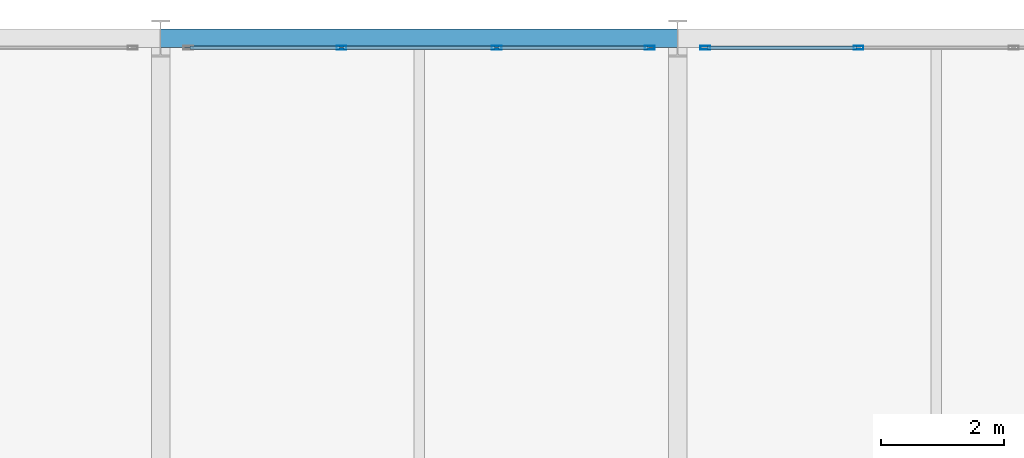
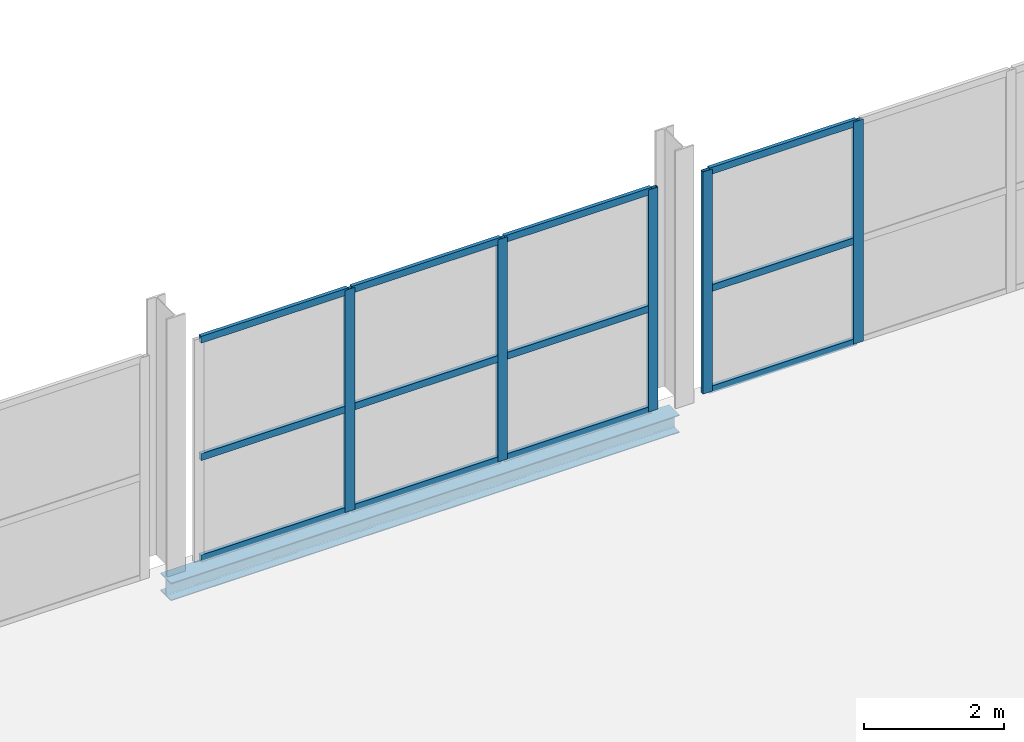
# One storey, part 60 of 109: 17 members, 1 beam, 2 elements without a shape of their own.
"""IFC4 building model written with IfcOpenShell, lengths in metres."""

from ifc_helpers import new_model, si_unit, direction, frame, origin, origin_2d, place, context, subcontext, project, spatial, hollow_rectangle, i_section, extrude, material, material_profile, profile_set, type_object, element, aggregate, save


model = new_model("IFC4")

# Units and contexts
model_context = context("Model", 3, precision=1e-05, world=origin(), true_north=direction((0.0, 1.0)))
body_context = subcontext(model_context, "Body", "Model", "MODEL_VIEW")
ifc_project = project(units=[si_unit("LENGTHUNIT", "METRE"), si_unit("AREAUNIT", "SQUARE_METRE"), si_unit("VOLUMEUNIT", "CUBIC_METRE"), si_unit("PLANEANGLEUNIT", "RADIAN"), si_unit("MASSUNIT", "GRAM", prefix="KILO")], contexts=[model_context])

# Site, building, storey
site_placement = place(None, origin())
site = spatial("IfcSite", under=ifc_project, at=site_placement, CompositionType="ELEMENT")
building_placement = place(site_placement, origin())
building = spatial("IfcBuilding", under=site, at=building_placement, Name="Veltarok Museum of Natural Sciences", CompositionType="ELEMENT")
storey_placement = place(building_placement, frame((0.0, 0.0, 17.39990234375)))
storey = spatial("IfcBuildingStorey", under=building, at=storey_placement, Name="L03", CompositionType="ELEMENT", Elevation=17.39990234375)

# Curtain wall, members
ifc_material_1 = material(Name="Low-iron triple insulated glass", Category="glass")
curtain_wall_type_1 = type_object("IfcCurtainWallType", Name="Curtain Wall System CW-V2N-L03-10-756x388 (V2 North Hall L03 10-11 756x388cm)", PredefinedType="NOTDEFINED", material=ifc_material_1)
curtain_wall_1_placement = place(storey_placement, origin())
curtain_wall_1 = element("IfcCurtainWall", 1, at=curtain_wall_1_placement, inside=storey, type_object=curtain_wall_type_1, Name="Curtain Wall CW-V2N-L03-10-756x388 CW-0059", PredefinedType="NOTDEFINED")
ifc_material_2 = material(Name="Thermally broken anodised aluminium", Category="aluminium")
ifc_material_profile_1 = material_profile(ifc_material_2, hollow_rectangle(XDim=0.06005859375, YDim=0.1201171875, WallThickness=0.0048828125, at=origin_2d()), Name="CW TRANSOM 60x120x5")
ifc_profile_set_1 = profile_set([ifc_material_profile_1], Name="Thermally broken anodised aluminium")
member_type_1 = type_object("IfcMemberType", Name="Curtain Wall Horizontal Transom 60x120x5", PredefinedType="USERDEFINED", material=ifc_profile_set_1)
member_1_placement = place(storey_placement, frame((89.919921875, 71.85009765625, 0.030029296875), z_axis=(-1.0, 0.0, 0.0), x_axis=(0.0, -1.0, 0.0)))
member_1 = element("IfcMember", 2, at=member_1_placement, type_object=member_type_1, Name="CW-V2N-L03-10-756x388 transom 1.1", ObjectType="TRANSOM", PredefinedType="USERDEFINED", context=body_context, shape_type="SweptSolid", body=[
    extrude(hollow_rectangle(XDim=0.06005859375, YDim=0.1201171875, WallThickness=0.0048828125, at=origin_2d()), origin(), (0.0, 0.0, 1.0), 2.429931640625),
])
member_2_placement = place(storey_placement, frame((89.919921875, 71.85009765625, 1.800048828125), z_axis=(-1.0, 0.0, 0.0), x_axis=(0.0, -1.0, 0.0)))
member_2 = element("IfcMember", 3, at=member_2_placement, type_object=member_type_1, Name="CW-V2N-L03-10-756x388 transom 1.2", ObjectType="TRANSOM", PredefinedType="USERDEFINED", context=body_context, shape_type="SweptSolid", body=[
    extrude(hollow_rectangle(XDim=0.06005859375, YDim=0.1201171875, WallThickness=0.0048828125, at=origin_2d()), origin(), (0.0, 0.0, 1.0), 2.429931640625),
])
member_3_placement = place(storey_placement, frame((89.919921875, 71.85009765625, 3.85009765625), z_axis=(-1.0, 0.0, 0.0), x_axis=(0.0, -1.0, 0.0)))
member_3 = element("IfcMember", 4, at=member_3_placement, type_object=member_type_1, Name="CW-V2N-L03-10-756x388 transom 1.3", ObjectType="TRANSOM", PredefinedType="USERDEFINED", context=body_context, shape_type="SweptSolid", body=[
    extrude(hollow_rectangle(XDim=0.06005859375, YDim=0.1201171875, WallThickness=0.0048828125, at=origin_2d()), origin(), (0.0, 0.0, 1.0), 2.429931640625),
])
member_4_placement = place(storey_placement, frame((87.429931640625, 71.85009765625, 0.030029296875), z_axis=(-1.0, 0.0, 0.0), x_axis=(0.0, -1.0, 0.0)))
member_4 = element("IfcMember", 5, at=member_4_placement, type_object=member_type_1, Name="CW-V2N-L03-10-756x388 transom 2.1", ObjectType="TRANSOM", PredefinedType="USERDEFINED", context=body_context, shape_type="SweptSolid", body=[
    extrude(hollow_rectangle(XDim=0.06005859375, YDim=0.1201171875, WallThickness=0.0048828125, at=origin_2d()), origin(), (0.0, 0.0, 1.0), 2.4599609375),
])
member_5_placement = place(storey_placement, frame((87.429931640625, 71.85009765625, 1.800048828125), z_axis=(-1.0, 0.0, 0.0), x_axis=(0.0, -1.0, 0.0)))
member_5 = element("IfcMember", 6, at=member_5_placement, type_object=member_type_1, Name="CW-V2N-L03-10-756x388 transom 2.2", ObjectType="TRANSOM", PredefinedType="USERDEFINED", context=body_context, shape_type="SweptSolid", body=[
    extrude(hollow_rectangle(XDim=0.06005859375, YDim=0.1201171875, WallThickness=0.0048828125, at=origin_2d()), origin(), (0.0, 0.0, 1.0), 2.4599609375),
])
member_6_placement = place(storey_placement, frame((87.429931640625, 71.85009765625, 3.85009765625), z_axis=(-1.0, 0.0, 0.0), x_axis=(0.0, -1.0, 0.0)))
member_6 = element("IfcMember", 7, at=member_6_placement, type_object=member_type_1, Name="CW-V2N-L03-10-756x388 transom 2.3", ObjectType="TRANSOM", PredefinedType="USERDEFINED", context=body_context, shape_type="SweptSolid", body=[
    extrude(hollow_rectangle(XDim=0.06005859375, YDim=0.1201171875, WallThickness=0.0048828125, at=origin_2d()), origin(), (0.0, 0.0, 1.0), 2.4599609375),
])
member_7_placement = place(storey_placement, frame((84.909912109375, 71.85009765625, 0.030029296875), z_axis=(-1.0, 0.0, 0.0), x_axis=(0.0, -1.0, 0.0)))
member_7 = element("IfcMember", 8, at=member_7_placement, type_object=member_type_1, Name="CW-V2N-L03-10-756x388 transom 3.1", ObjectType="TRANSOM", PredefinedType="USERDEFINED", context=body_context, shape_type="SweptSolid", body=[
    extrude(hollow_rectangle(XDim=0.06005859375, YDim=0.1201171875, WallThickness=0.0048828125, at=origin_2d()), origin(), (0.0, 0.0, 1.0), 2.429931640625),
])
member_8_placement = place(storey_placement, frame((84.909912109375, 71.85009765625, 1.800048828125), z_axis=(-1.0, 0.0, 0.0), x_axis=(0.0, -1.0, 0.0)))
member_8 = element("IfcMember", 9, at=member_8_placement, type_object=member_type_1, Name="CW-V2N-L03-10-756x388 transom 3.2", ObjectType="TRANSOM", PredefinedType="USERDEFINED", context=body_context, shape_type="SweptSolid", body=[
    extrude(hollow_rectangle(XDim=0.06005859375, YDim=0.1201171875, WallThickness=0.0048828125, at=origin_2d()), origin(), (0.0, 0.0, 1.0), 2.429931640625),
])
member_9_placement = place(storey_placement, frame((84.909912109375, 71.85009765625, 3.85009765625), z_axis=(-1.0, 0.0, 0.0), x_axis=(0.0, -1.0, 0.0)))
member_9 = element("IfcMember", 10, at=member_9_placement, type_object=member_type_1, Name="CW-V2N-L03-10-756x388 transom 3.3", ObjectType="TRANSOM", PredefinedType="USERDEFINED", context=body_context, shape_type="SweptSolid", body=[
    extrude(hollow_rectangle(XDim=0.06005859375, YDim=0.1201171875, WallThickness=0.0048828125, at=origin_2d()), origin(), (0.0, 0.0, 1.0), 2.429931640625),
])

curtain_wall_type_2 = type_object("IfcCurtainWallType", Name="Curtain Wall System CW-V2N-L03-11-756x388 (V2 North Hall L03 11-12 756x388cm)", PredefinedType="NOTDEFINED", material=ifc_material_1)
curtain_wall_2_placement = place(storey_placement, origin())
curtain_wall_2 = element("IfcCurtainWall", 11, at=curtain_wall_2_placement, inside=storey, type_object=curtain_wall_type_2, Name="Curtain Wall CW-V2N-L03-11-756x388 CW-0060", PredefinedType="NOTDEFINED")
member_10_placement = place(storey_placement, frame((93.31005859375, 71.85009765625, 0.030029296875), z_axis=(-1.0, 0.0, 0.0), x_axis=(0.0, -1.0, 0.0)))
member_10 = element("IfcMember", 12, at=member_10_placement, type_object=member_type_1, Name="CW-V2N-L03-11-756x388 transom 3.1", ObjectType="TRANSOM", PredefinedType="USERDEFINED", context=body_context, shape_type="SweptSolid", body=[
    extrude(hollow_rectangle(XDim=0.06005859375, YDim=0.1201171875, WallThickness=0.0048828125, at=origin_2d()), origin(), (0.0, 0.0, 1.0), 2.43017578125),
])
member_11_placement = place(storey_placement, frame((93.31005859375, 71.85009765625, 1.800048828125), z_axis=(-1.0, 0.0, 0.0), x_axis=(0.0, -1.0, 0.0)))
member_11 = element("IfcMember", 13, at=member_11_placement, type_object=member_type_1, Name="CW-V2N-L03-11-756x388 transom 3.2", ObjectType="TRANSOM", PredefinedType="USERDEFINED", context=body_context, shape_type="SweptSolid", body=[
    extrude(hollow_rectangle(XDim=0.06005859375, YDim=0.1201171875, WallThickness=0.0048828125, at=origin_2d()), origin(), (0.0, 0.0, 1.0), 2.43017578125),
])
member_12_placement = place(storey_placement, frame((93.31005859375, 71.85009765625, 3.85009765625), z_axis=(-1.0, 0.0, 0.0), x_axis=(0.0, -1.0, 0.0)))
member_12 = element("IfcMember", 14, at=member_12_placement, type_object=member_type_1, Name="CW-V2N-L03-11-756x388 transom 3.3", ObjectType="TRANSOM", PredefinedType="USERDEFINED", context=body_context, shape_type="SweptSolid", body=[
    extrude(hollow_rectangle(XDim=0.06005859375, YDim=0.1201171875, WallThickness=0.0048828125, at=origin_2d()), origin(), (0.0, 0.0, 1.0), 2.43017578125),
])

# Member
ifc_material_profile_2 = material_profile(ifc_material_2, hollow_rectangle(XDim=0.06005859375, YDim=0.159912109375, WallThickness=0.0048828125, at=origin_2d()), Name="CW MULLION 60x160x5")
ifc_profile_set_2 = profile_set([ifc_material_profile_2], Name="Thermally broken anodised aluminium")
member_type_2 = type_object("IfcMemberType", Name="Curtain Wall Vertical Mullion 60x160x5", PredefinedType="MULLION", material=ifc_profile_set_2)
member_13_placement = place(storey_placement, frame((89.949951171875, 71.85009765625, 0.0), z_axis=(0.0, 0.0, 1.0), x_axis=(0.0, -1.0, 0.0)))
member_13 = element("IfcMember", 15, at=member_13_placement, type_object=member_type_2, Name="CW-V2N-L03-10-756x388 mullion 1", PredefinedType="MULLION", context=body_context, shape_type="SweptSolid", body=[
    extrude(hollow_rectangle(XDim=0.06005859375, YDim=0.159912109375, WallThickness=0.0048828125, at=origin_2d()), origin(), (0.0, 0.0, 1.0), 3.880126953125),
])

member_14_placement = place(storey_placement, frame((87.4599609375, 71.85009765625, 0.0), z_axis=(0.0, 0.0, 1.0), x_axis=(0.0, -1.0, 0.0)))
member_14 = element("IfcMember", 16, at=member_14_placement, type_object=member_type_2, Name="CW-V2N-L03-10-756x388 mullion 2", PredefinedType="MULLION", context=body_context, shape_type="SweptSolid", body=[
    extrude(hollow_rectangle(XDim=0.06005859375, YDim=0.159912109375, WallThickness=0.0048828125, at=origin_2d()), origin(), (0.0, 0.0, 1.0), 3.880126953125),
])

member_15_placement = place(storey_placement, frame((84.93994140625, 71.85009765625, 0.0), z_axis=(0.0, 0.0, 1.0), x_axis=(0.0, -1.0, 0.0)))
member_15 = element("IfcMember", 17, at=member_15_placement, type_object=member_type_2, Name="CW-V2N-L03-10-756x388 mullion 3", PredefinedType="MULLION", context=body_context, shape_type="SweptSolid", body=[
    extrude(hollow_rectangle(XDim=0.06005859375, YDim=0.159912109375, WallThickness=0.0048828125, at=origin_2d()), origin(), (0.0, 0.0, 1.0), 3.880126953125),
])

aggregate(curtain_wall_1, [member_13, member_14, member_15, member_1, member_2, member_3, member_4, member_5, member_6, member_7, member_8, member_9])

member_16_placement = place(storey_placement, frame((93.340087890625, 71.85009765625, 0.0), z_axis=(0.0, 0.0, 1.0), x_axis=(0.0, -1.0, 0.0)))
member_16 = element("IfcMember", 18, at=member_16_placement, type_object=member_type_2, Name="CW-V2N-L03-11-756x388 mullion 3", PredefinedType="MULLION", context=body_context, shape_type="SweptSolid", body=[
    extrude(hollow_rectangle(XDim=0.06005859375, YDim=0.159912109375, WallThickness=0.0048828125, at=origin_2d()), origin(), (0.0, 0.0, 1.0), 3.880126953125),
])

member_17_placement = place(storey_placement, frame((90.85009765625, 71.85009765625, 0.0), z_axis=(0.0, 0.0, 1.0), x_axis=(0.0, -1.0, 0.0)))
member_17 = element("IfcMember", 19, at=member_17_placement, type_object=member_type_2, Name="CW-V2N-L03-11-756x388 mullion 4", PredefinedType="MULLION", context=body_context, shape_type="SweptSolid", body=[
    extrude(hollow_rectangle(XDim=0.06005859375, YDim=0.159912109375, WallThickness=0.0048828125, at=origin_2d()), origin(), (0.0, 0.0, 1.0), 3.880126953125),
])

aggregate(curtain_wall_2, [member_16, member_17, member_10, member_11, member_12])

# Beam
ifc_material_3 = material(Name="Steel S355J2", Category="steel")
ifc_material_profile_3 = material_profile(ifc_material_3, i_section(OverallWidth=0.300048828125, OverallDepth=0.31005859375, WebThickness=0.009033203125, FlangeThickness=0.015380859375, FilletRadius=0.027099609375, at=origin_2d()), Name="HEA 320")
ifc_profile_set_3 = profile_set([ifc_material_profile_3], Name="Steel S355J2")
beam_type = type_object("IfcBeamType", Name="Perimeter Edge Spandrel HEA 320", PredefinedType="SPANDREL", material=ifc_profile_set_3)
beam_placement = place(storey_placement, frame((82.0, 72.0, -0.40478515625), z_axis=(1.0, 0.0, 0.0), x_axis=(0.0, 1.0, 0.0)))
element("IfcBeam", 20, at=beam_placement, inside=storey, type_object=beam_type, Name="Beam BM-SP04 L03 10-11/H", PredefinedType="SPANDREL", context=body_context, shape_type="SweptSolid", body=[
    extrude(i_section(OverallWidth=0.300048828125, OverallDepth=0.31005859375, WebThickness=0.009033203125, FlangeThickness=0.015380859375, FilletRadius=0.027099609375, at=origin_2d()), origin(), (0.0, 0.0, 1.0), 8.39990234375),
])

save(model, "model.ifc")
